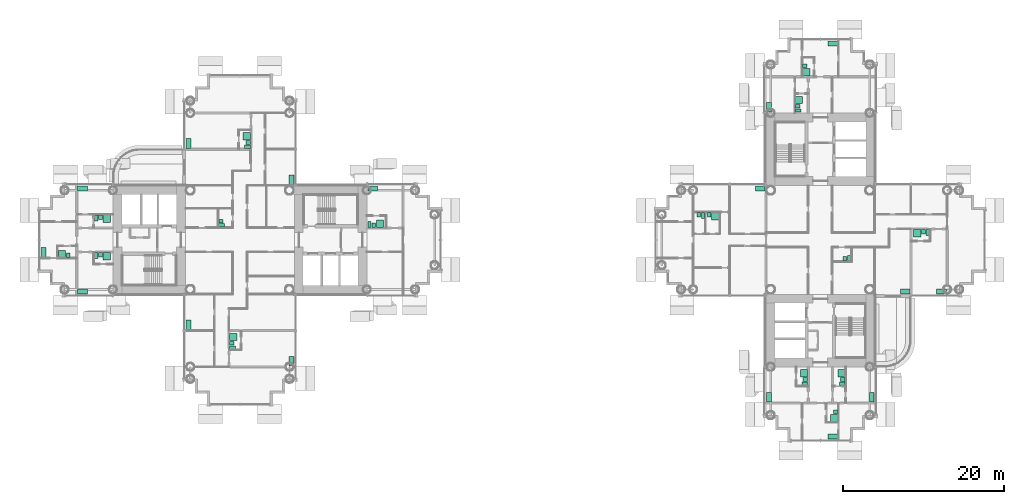
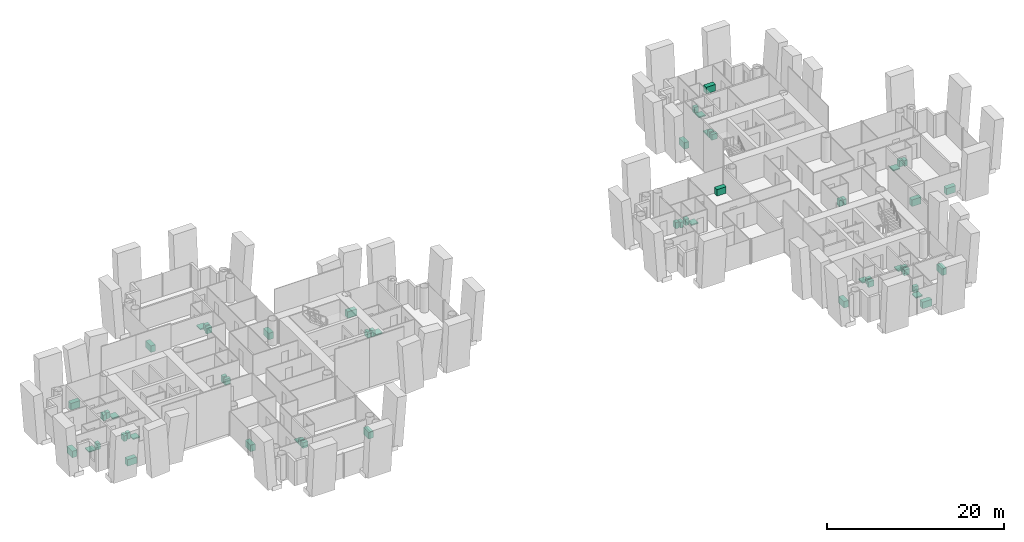
# One storey, part 25 of 25: 57 sanitary terminals.
"""IFC4 building model written with IfcOpenShell, lengths in metres."""

from ifc_helpers import new_model, si_unit, direction, frame, origin, origin_2d, place, context, subcontext, project, spatial, rectangle, extrude, material, type_object, element, save


model = new_model("IFC4")

# Units and contexts
model_context = context("Model", 3, precision=1e-05, world=origin(), true_north=direction((0.0, 1.0)))
body_context = subcontext(model_context, "Body", "Model", "MODEL_VIEW")
ifc_project = project(units=[si_unit("LENGTHUNIT", "METRE"), si_unit("AREAUNIT", "SQUARE_METRE"), si_unit("VOLUMEUNIT", "CUBIC_METRE"), si_unit("PLANEANGLEUNIT", "RADIAN"), si_unit("MASSUNIT", "GRAM", prefix="KILO")], contexts=[model_context])

# Site, building, storey
site_placement = place(None, origin())
site = spatial("IfcSite", under=ifc_project, at=site_placement, CompositionType="ELEMENT")
building_placement = place(site_placement, origin())
building = spatial("IfcBuilding", under=site, at=building_placement, Name="Ipe Terrace Towers", CompositionType="ELEMENT")
storey_placement = place(building_placement, frame((0.0, 0.0, 58.5)))
storey = spatial("IfcBuildingStorey", under=building, at=storey_placement, Name="L15", CompositionType="ELEMENT", Elevation=58.5)

# Sanitary terminals
ifc_material_1 = material(Name="Stainless sink unit", Category="metal")
sanitary_terminal_type_1 = type_object("IfcSanitaryTerminalType", Name="Kitchen sink unit", PredefinedType="SINK", material=ifc_material_1)
for number, where, z_axis, x_axis, name in (
    (1, (-42.3798828125, 11.969970703125, 0.0), (0.0, 0.0, 1.0), (0.0, 1.0, 0.0), "Kitchen sink unit"),
    (2, (-29.6201171875, 7.469970703125, 0.0), (0.0, 0.0, 1.0), (0.0, -1.0, 0.0), "Kitchen sink unit"),
    (3, (-29.6201171875, -15.030029296875, 0.0), (0.0, 0.0, 1.0), (0.0, -1.0, 0.0), "Kitchen sink unit"),
    (4, (-42.3798828125, -10.530029296875, 0.0), (0.0, 0.0, 1.0), (0.0, 1.0, 0.0), "Kitchen sink unit"),
    (5, (-19.530029296875, 6.3798828125, 0.0), (0.0, 0.0, 1.0), (1.0, 0.0, 0.0), "Kitchen sink unit"),
    (6, (-55.530029296875, -6.3798828125, 0.0), (0.0, 0.0, 1.0), (-1.0, 0.0, 0.0), "Kitchen sink unit"),
    (7, (-55.530029296875, 6.3798828125, 0.0), (0.0, 0.0, 1.0), (1.0, 0.0, 0.0), "Kitchen sink unit"),
    (8, (-60.3798828125, -1.530029296875, 0.0), (0.0, 0.0, 1.0), (0.0, 1.0, 0.0), "Kitchen sink unit"),
    (9, (28.530029296875, 6.3798828125, 0.0), (0.0, 0.0, 1.0), (1.0, 0.0, 0.0), "Kitchen sink unit"),
    (10, (46.530029296875, -6.3798828125, 0.0), (0.0, 0.0, 1.0), (-1.0, 0.0, 0.0), "Kitchen sink unit"),
    (11, (51.030029296875, -6.3798828125, 0.0), (0.0, 0.0, 1.0), (-1.0, 0.0, 0.0), "Kitchen sink unit"),
    (12, (29.6201171875, 16.469970703125, 0.0), (0.0, 0.0, 1.0), (0.0, 1.0, 0.0), "Kitchen sink unit"),
    (13, (37.530029296875, 24.3798828125, 0.0), (0.0, 0.0, 1.0), (1.0, 0.0, 0.0), "Kitchen sink unit"),
    (14, (42.3798828125, -19.530029296875, 0.0), (0.0, 0.0, 1.0), (0.0, -1.0, 0.0), "Kitchen sink unit"),
    (15, (29.6201171875, -19.530029296875, 0.0), (0.0, 0.0, 1.0), (0.0, 1.0, 0.0), "Kitchen sink unit"),
    (16, (37.530029296875, -24.3798828125, 0.0), (0.0, 0.0, 1.0), (-1.0, 0.0, 0.0), "Kitchen sink unit"),
):
    element("IfcSanitaryTerminal", number, at=place(storey_placement, frame(where, z_axis=z_axis, x_axis=x_axis)), inside=storey, type_object=sanitary_terminal_type_1, Name=name, PredefinedType="SINK", context=body_context, shape_type="SweptSolid", body=[
        extrude(rectangle(XDim=1.199951171875, YDim=0.60009765625, at=origin_2d()), origin(), (0.0, 0.0, 1.0), 0.89990234375),
    ])
ifc_material_2 = material(Name="Acrylic", Category="plastic")
sanitary_terminal_type_2 = type_object("IfcSanitaryTerminalType", Name="Shower tray", PredefinedType="SHOWER", material=ifc_material_2)
for number, where, z_axis, x_axis, name in (
    (17, (-35.169921875, 12.8701171875, 0.0), (0.0, 0.0, 1.0), (-1.0, 0.0, 0.0), "Shower tray"),
    (18, (-36.830078125, -12.030029296875, 0.0), (0.0, 0.0, 1.0), (1.0, 0.0, 0.0), "Shower tray"),
    (19, (-18.6298828125, 2.02001953125, 0.0), (0.0, 0.0, 1.0), (0.0, 1.0, 0.0), "Shower tray"),
    (20, (-52.530029296875, -2.02001953125, 0.0), (0.0, 0.0, 1.0), (0.0, -1.0, 0.0), "Shower tray"),
    (21, (-52.530029296875, 2.6298828125, 0.0), (0.0, 0.0, 1.0), (0.0, -1.0, 0.0), "Shower tray"),
    (22, (-58.080078125, -1.72998046875, 0.0), (0.0, 0.0, 1.0), (0.0, 1.0, 0.0), "Shower tray"),
    (23, (22.97998046875, 2.929931640625, 0.0), (0.0, 0.0, 1.0), (0.0, -1.0, 0.0), "Shower tray"),
    (24, (48.030029296875, 0.830078125, 0.0), (0.0, 0.0, 1.0), (0.0, -1.0, 0.0), "Shower tray"),
    (25, (33.3701171875, 17.3701171875, 0.0), (0.0, 0.0, 1.0), (1.0, 0.0, 0.0), "Shower tray"),
    (26, (34.27001953125, 20.820068359375, 0.0), (0.0, 0.0, 1.0), (1.0, 0.0, 0.0), "Shower tray"),
    (27, (38.6298828125, -16.530029296875, 0.0), (0.0, 0.0, 1.0), (-1.0, 0.0, 0.0), "Shower tray"),
    (28, (33.97998046875, -16.530029296875, 0.0), (0.0, 0.0, 1.0), (-1.0, 0.0, 0.0), "Shower tray"),
    (29, (37.72998046875, -22.080078125, 0.0), (0.0, 0.0, 1.0), (-1.0, 0.0, 0.0), "Shower tray"),
):
    element("IfcSanitaryTerminal", number, at=place(storey_placement, frame(where, z_axis=z_axis, x_axis=x_axis)), inside=storey, type_object=sanitary_terminal_type_2, Name=name, PredefinedType="SHOWER", context=body_context, shape_type="SweptSolid", body=[
        extrude(rectangle(XDim=0.89990234375, YDim=0.89990234375, at=origin_2d()), origin(), (0.0, 0.0, 1.0), 0.14990234375),
    ])
ifc_material_3 = material(Name="Vitreous china", Category="ceramic")
sanitary_terminal_type_3 = type_object("IfcSanitaryTerminalType", Name="Wash basin", PredefinedType="WASHHANDBASIN", material=ifc_material_3)
for number, where, z_axis, x_axis, name in (
    (30, (-38.35498046875, 2.344970703125, 0.0), (0.0, 0.0, 1.0), (1.0, 0.0, 0.0), "Wash basin"),
    (31, (-34.9951171875, 12.094970703125, 0.0), (0.0, 0.0, 1.0), (-1.0, 0.0, 0.0), "Wash basin"),
    (32, (-37.0048828125, -12.804931640625, 0.0), (0.0, 0.0, 1.0), (1.0, 0.0, 0.0), "Wash basin"),
    (33, (-19.405029296875, 1.844970703125, 0.0), (0.0, 0.0, 1.0), (0.0, 1.0, 0.0), "Wash basin"),
    (34, (-53.304931640625, -1.844970703125, 0.0), (0.0, 0.0, 1.0), (0.0, -1.0, 0.0), "Wash basin"),
    (35, (-53.304931640625, 2.804931640625, 0.0), (0.0, 0.0, 1.0), (0.0, -1.0, 0.0), "Wash basin"),
    (36, (-57.304931640625, -1.905029296875, 0.0), (0.0, 0.0, 1.0), (0.0, 1.0, 0.0), "Wash basin"),
    (37, (39.054931640625, -2.35498046875, 0.0), (0.0, 0.0, 1.0), (0.0, 1.0, 0.0), "Wash basin"),
    (38, (22.205078125, 3.10498046875, 0.0), (0.0, 0.0, 1.0), (0.0, -1.0, 0.0), "Wash basin"),
    (39, (20.905029296875, 3.10498046875, 0.0), (0.0, 0.0, 1.0), (0.0, -1.0, 0.0), "Wash basin"),
    (40, (48.804931640625, 1.0048828125, 0.0), (0.0, 0.0, 1.0), (0.0, -1.0, 0.0), "Wash basin"),
    (41, (33.195068359375, 16.594970703125, 0.0), (0.0, 0.0, 1.0), (1.0, 0.0, 0.0), "Wash basin"),
    (42, (34.094970703125, 21.594970703125, 0.0), (0.0, 0.0, 1.0), (1.0, 0.0, 0.0), "Wash basin"),
    (43, (38.804931640625, -17.304931640625, 0.0), (0.0, 0.0, 1.0), (-1.0, 0.0, 0.0), "Wash basin"),
    (44, (34.155029296875, -17.304931640625, 0.0), (0.0, 0.0, 1.0), (-1.0, 0.0, 0.0), "Wash basin"),
    (45, (37.905029296875, -21.304931640625, 0.0), (0.0, 0.0, 1.0), (-1.0, 0.0, 0.0), "Wash basin"),
):
    element("IfcSanitaryTerminal", number, at=place(storey_placement, frame(where, z_axis=z_axis, x_axis=x_axis)), inside=storey, type_object=sanitary_terminal_type_3, Name=name, PredefinedType="WASHHANDBASIN", context=body_context, shape_type="SweptSolid", body=[
        extrude(rectangle(XDim=0.550048828125, YDim=0.449951171875, at=origin_2d()), origin(), (0.0, 0.0, 1.0), 0.85009765625),
    ])
ifc_material_4 = material(Name="Vitreous china", Category="ceramic")
sanitary_terminal_type_4 = type_object("IfcSanitaryTerminalType", Name="Water closet", PredefinedType="TOILETPAN", material=ifc_material_4)
for number, where, z_axis, x_axis, name in (
    (46, (-38.280029296875, 1.820068359375, 0.0), (0.0, 0.0, 1.0), (1.0, 0.0, 0.0), "Water closet"),
    (47, (-35.070068359375, 11.570068359375, 0.0), (0.0, 0.0, 1.0), (-1.0, 0.0, 0.0), "Water closet"),
    (48, (-36.929931640625, -13.330078125, 0.0), (0.0, 0.0, 1.0), (1.0, 0.0, 0.0), "Water closet"),
    (49, (-19.929931640625, 1.919921875, 0.0), (0.0, 0.0, 1.0), (0.0, 1.0, 0.0), "Water closet"),
    (50, (-53.830078125, -1.919921875, 0.0), (0.0, 0.0, 1.0), (0.0, -1.0, 0.0), "Water closet"),
    (51, (-53.830078125, 2.72998046875, 0.0), (0.0, 0.0, 1.0), (0.0, -1.0, 0.0), "Water closet"),
    (52, (39.580078125, -2.280029296875, 0.0), (0.0, 0.0, 1.0), (0.0, 1.0, 0.0), "Water closet"),
    (53, (21.429931640625, 3.030029296875, 0.0), (0.0, 0.0, 1.0), (0.0, -1.0, 0.0), "Water closet"),
    (54, (49.330078125, 0.929931640625, 0.0), (0.0, 0.0, 1.0), (0.0, -1.0, 0.0), "Water closet"),
    (55, (33.27001953125, 16.070068359375, 0.0), (0.0, 0.0, 1.0), (1.0, 0.0, 0.0), "Water closet"),
    (56, (38.72998046875, -17.830078125, 0.0), (0.0, 0.0, 1.0), (-1.0, 0.0, 0.0), "Water closet"),
    (57, (34.080078125, -17.830078125, 0.0), (0.0, 0.0, 1.0), (-1.0, 0.0, 0.0), "Water closet"),
):
    element("IfcSanitaryTerminal", number, at=place(storey_placement, frame(where, z_axis=z_axis, x_axis=x_axis)), inside=storey, type_object=sanitary_terminal_type_4, Name=name, PredefinedType="TOILETPAN", context=body_context, shape_type="SweptSolid", body=[
        extrude(rectangle(XDim=0.699951171875, YDim=0.39990234375, at=origin_2d()), origin(), (0.0, 0.0, 1.0), 0.780029296875),
    ])

save(model, "model.ifc")
